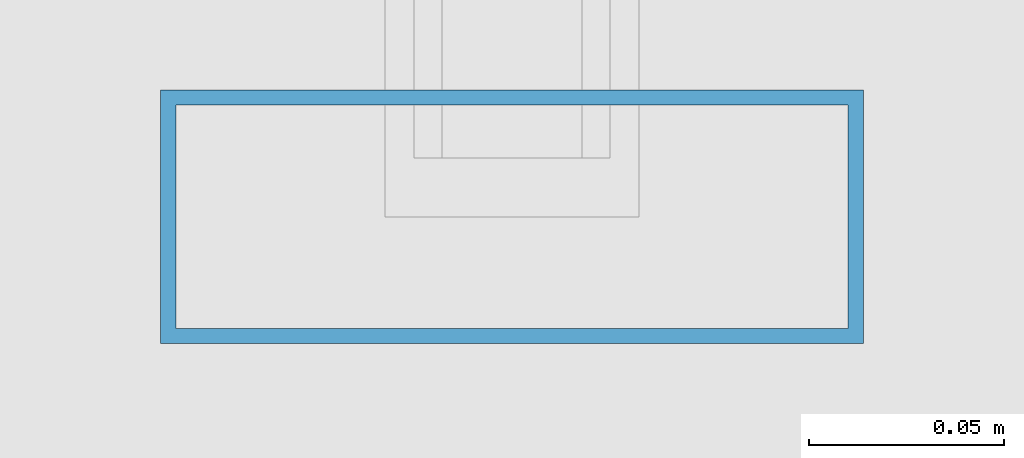
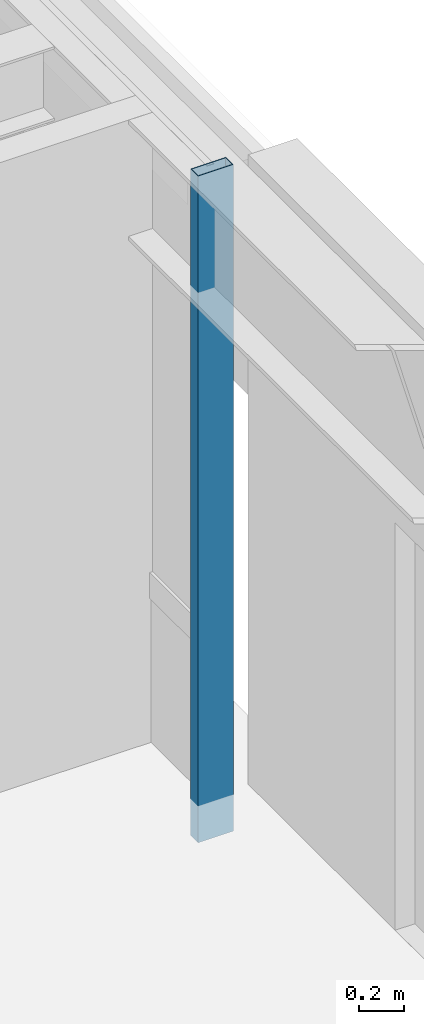
# One storey, part 14 of 30: 1 member, 1 element without a shape of its own.
"""IFC4 building model written with IfcOpenShell, lengths in metres."""

import ifcopenshell
import ifcopenshell.guid

model = None  # the IFC model being written
_history = None  # IfcOwnerHistory: only IFC2X3 demands one
_inside = {}  # id of a spatial element -> (the spatial element, [elements in it])
_under = {}  # id of a project, library or spatial element -> (it, [spatial elements below it])
_declared = {}  # id of a project -> (the project, [libraries it declares])
_typed = {}  # id of a type object -> (the type object, [elements of that type])
_made_of = {}  # id of a material, layer set ... -> (it, [elements and type objects made of it])


def new_model(schema):
    """Start an empty IFC model of exactly this schema.

    Asked for "IFC4X3", IfcOpenShell would pick the latest addendum, in which some entities
    have other attributes; the version numbers below select the first issue.
    IFC2X3 requires an IfcOwnerHistory on every rooted entity: one is made here for all.
    """
    global model, _history
    if schema == "IFC4X3":
        model = ifcopenshell.file(schema_version=(4, 3, 0, 0))
    else:
        model = ifcopenshell.file(schema=schema)
    _inside.clear()
    _under.clear()
    _declared.clear()
    _typed.clear()
    _made_of.clear()
    _history = None
    if model.schema == "IFC2X3":
        org = make("IfcOrganization", Name="unknown")
        user = make(
            "IfcPersonAndOrganization",
            ThePerson=make("IfcPerson", FamilyName="unknown"),
            TheOrganization=org,
        )
        app = make(
            "IfcApplication",
            ApplicationDeveloper=org,
            Version="unknown",
            ApplicationFullName="unknown",
            ApplicationIdentifier="unknown",
        )
        _history = make(
            "IfcOwnerHistory",
            OwningUser=user,
            OwningApplication=app,
            ChangeAction="ADDED",
            CreationDate=0,
        )
    return model


def make(cls, **values):
    """One entity of the class cls with the attributes given. An attribute that is None is left unset."""
    return model.create_entity(
        cls, **{name: value for name, value in values.items() if value is not None}
    )


def rooted(cls, **values):
    """An entity with a GlobalId (a new one), such as an element, a storey or a relation."""
    return make(cls, GlobalId=ifcopenshell.guid.new(), OwnerHistory=_history, **values)


def si_unit(unit_type, name, prefix=None):
    """IfcSIUnit, for example si_unit("LENGTHUNIT", "METRE", prefix="MILLI")."""
    return make("IfcSIUnit", UnitType=unit_type, Prefix=prefix, Name=name)


def assignment(units):
    """IfcUnitAssignment: the units of a project."""
    return None if units is None else make("IfcUnitAssignment", Units=units)


def point(xyz):
    """IfcCartesianPoint."""
    return None if xyz is None else make("IfcCartesianPoint", Coordinates=xyz)


def direction(xyz):
    """IfcDirection."""
    return None if xyz is None else make("IfcDirection", DirectionRatios=xyz)


def frame(location, z_axis=None, x_axis=None):
    """IfcAxis2Placement3D, a coordinate frame: its origin and axes. An axis left out is left unset."""
    return make(
        "IfcAxis2Placement3D",
        Location=point(location),
        Axis=direction(z_axis),
        RefDirection=direction(x_axis),
    )


def frame_2d(location, x_axis=None):
    """IfcAxis2Placement2D, a coordinate frame in the plane: its origin and x axis."""
    return make(
        "IfcAxis2Placement2D", Location=point(location), RefDirection=direction(x_axis)
    )


def origin():
    """The frame at (0, 0, 0) with its axes left unset."""
    return frame((0.0, 0.0, 0.0))


def origin_2d():
    """The frame at (0, 0) in the plane with its x axis left unset."""
    return frame_2d((0.0, 0.0))


def place(relative_to, where):
    """IfcLocalPlacement: puts the frame where relative to a parent placement (None: the world)."""
    return make(
        "IfcLocalPlacement", PlacementRelTo=relative_to, RelativePlacement=where
    )


def context(
    kind, dimensions, precision=None, world=None, true_north=None, identifier=None
):
    """IfcGeometricRepresentationContext, for example the 3D "Model" context."""
    return make(
        "IfcGeometricRepresentationContext",
        ContextIdentifier=identifier,
        ContextType=kind,
        CoordinateSpaceDimension=dimensions,
        Precision=precision,
        WorldCoordinateSystem=world,
        TrueNorth=true_north,
    )


def subcontext(parent, identifier, kind, view, scale=None):
    """IfcGeometricRepresentationSubContext, for example "Body" below "Model"."""
    return make(
        "IfcGeometricRepresentationSubContext",
        ContextIdentifier=identifier,
        ContextType=kind,
        ParentContext=parent,
        TargetScale=scale,
        TargetView=view,
    )


def project(units=None, contexts=None):
    """IfcProject with its units and contexts."""
    return rooted(
        "IfcProject",
        Name="project",
        RepresentationContexts=contexts,
        UnitsInContext=assignment(units),
    )


def spatial(cls, under=None, at=None, **own):
    """A site, building, storey or space (cls), placed at a placement, below another one or the project."""
    s = rooted(cls, ObjectPlacement=at, **own)
    if under is not None:
        _under.setdefault(under.id(), (under, []))[1].append(s)
    return s


def profile(cls, at=None, kind="AREA", **sizes):
    """A parametric profile (cls). Its sizes go by their IFC names, for example OverallWidth=200.0."""
    return make(cls, ProfileType=kind, Position=at, **sizes)


def hollow_rectangle(**sizes):
    """IfcRectangleHollowProfileDef."""
    return profile("IfcRectangleHollowProfileDef", **sizes)


def extrude(swept, where, along, depth):
    """IfcExtrudedAreaSolid: the profile swept, set in the frame where, extruded along a direction by depth."""
    return make(
        "IfcExtrudedAreaSolid",
        SweptArea=swept,
        Position=where,
        ExtrudedDirection=direction(along),
        Depth=depth,
    )


def shape(context_of_items, identifier, shape_type, items):
    """IfcShapeRepresentation: the items that make up one representation, for example the "Body"."""
    return make(
        "IfcShapeRepresentation",
        ContextOfItems=context_of_items,
        RepresentationIdentifier=identifier,
        RepresentationType=shape_type,
        Items=items,
    )


def material(Name=None, Category=None):
    """IfcMaterial."""
    return make("IfcMaterial", Name=Name, Category=Category)


def layer(
    of_material, thickness, ventilated=None, Name=None, Category=None, Priority=None
):
    """IfcMaterialLayer: one layer of a wall or slab, of a material (None: an air gap)."""
    return make(
        "IfcMaterialLayer",
        Material=of_material,
        LayerThickness=thickness,
        IsVentilated=ventilated,
        Name=Name,
        Category=Category,
        Priority=Priority,
    )


def layer_set(layers, Name=None):
    """IfcMaterialLayerSet."""
    return make("IfcMaterialLayerSet", MaterialLayers=layers, LayerSetName=Name)


def material_profile(
    of_material, cross_section, Name=None, Category=None, Priority=None
):
    """IfcMaterialProfile: a cross section and its material."""
    return make(
        "IfcMaterialProfile",
        Name=Name,
        Material=of_material,
        Profile=cross_section,
        Priority=Priority,
        Category=Category,
    )


def profile_set(profiles, Name=None, composite=None):
    """IfcMaterialProfileSet."""
    return make(
        "IfcMaterialProfileSet",
        Name=Name,
        MaterialProfiles=profiles,
        CompositeProfile=composite,
    )


def made_of(thing, what):
    """Note that an element or type object is made of a material, layer set ...; save() writes the relation."""
    if what is not None:
        _made_of.setdefault(what.id(), (what, []))[1].append(thing)
    return thing


def type_object(cls, material=None, **own):
    """A type object (cls), such as IfcWallType, which elements share."""
    return made_of(rooted(cls, **own), material)


def element(
    cls,
    number,
    at=None,
    inside=None,
    cuts=None,
    type_object=None,
    material=None,
    context=None,
    identifier="Body",
    shape_type=None,
    held_by="IfcProductDefinitionShape",
    body=None,
    shapes=None,
    **own,
):
    """One element of the class cls, such as IfcWall. Its Tag is "e" and its number.

    at: its placement. inside: the storey or other place that contains it. cuts: it is an
    opening in that element (IfcRelVoidsElement). A single representation is given by context,
    identifier, shape_type and body (its items); several are given by shapes. held_by: the class
    of the entity that holds the representations. save() writes the other relations.
    """
    e = rooted(cls, Tag="e%d" % number, ObjectPlacement=at, **own)
    if body is not None:
        shapes = [shape(context, identifier, shape_type, body)]
    if shapes is not None:
        e.Representation = make(held_by, Representations=shapes)
    if inside is not None:
        _inside.setdefault(inside.id(), (inside, []))[1].append(e)
    if cuts is not None:
        rooted(
            "IfcRelVoidsElement", RelatingBuildingElement=cuts, RelatedOpeningElement=e
        )
    if type_object is not None:
        _typed.setdefault(type_object.id(), (type_object, []))[1].append(e)
    return made_of(e, material)


def aggregate(whole, parts):
    """IfcRelAggregates: a whole, such as a stair, and the parts it consists of."""
    return rooted("IfcRelAggregates", RelatingObject=whole, RelatedObjects=parts)


def save(model, path):
    """Write the relations noted so far, then the file.

    IfcRelAggregates (storeys below a building ...), IfcRelContainedInSpatialStructure (elements
    in a storey), IfcRelDefinesByType, IfcRelAssociatesMaterial and IfcRelDeclares: one each for
    every whole, place, type object, material and project.
    """
    for whole, parts in _under.values():
        aggregate(whole, parts)
    for where, things in _inside.values():
        rooted(
            "IfcRelContainedInSpatialStructure",
            RelatedElements=things,
            RelatingStructure=where,
        )
    for kind, things in _typed.values():
        rooted("IfcRelDefinesByType", RelatedObjects=things, RelatingType=kind)
    for what, things in _made_of.values():
        rooted("IfcRelAssociatesMaterial", RelatedObjects=things, RelatingMaterial=what)
    for by, libraries in _declared.values():
        rooted("IfcRelDeclares", RelatingContext=by, RelatedDefinitions=libraries)
    model.write(path)


model = new_model("IFC4")

# Units and contexts
model_context = context("Model", 3, precision=1e-05, world=origin(), true_north=direction((0.0, 1.0)))
body_context = subcontext(model_context, "Body", "Model", "MODEL_VIEW")
ifc_project = project(units=[si_unit("LENGTHUNIT", "METRE"), si_unit("AREAUNIT", "SQUARE_METRE"), si_unit("VOLUMEUNIT", "CUBIC_METRE"), si_unit("PLANEANGLEUNIT", "RADIAN"), si_unit("MASSUNIT", "GRAM", prefix="KILO")], contexts=[model_context])

# Site, building, storey
site_placement = place(None, origin())
site = spatial("IfcSite", under=ifc_project, at=site_placement, CompositionType="ELEMENT")
building_placement = place(site_placement, origin())
building = spatial("IfcBuilding", under=site, at=building_placement, Name="Brelmoor Portico Tower", CompositionType="ELEMENT")
storey_placement = place(building_placement, frame((0.0, 0.0, 102.60009765625)))
storey = spatial("IfcBuildingStorey", under=building, at=storey_placement, Name="L26", CompositionType="ELEMENT", Elevation=102.60009765625)

# Curtain wall, member
ifc_material = material(Name="Anodised Aluminium Alloy 6063-T6", Category="aluminium")
ifc_layer = layer(ifc_material, 0.179931640625)
ifc_layer_set = layer_set([ifc_layer], Name="Anodised Aluminium Alloy 6063-T6")
curtain_wall_type = type_object("IfcCurtainWallType", Name="CW-TOWER-Z2", PredefinedType="NOTDEFINED", material=ifc_layer_set)
curtain_wall_placement = place(storey_placement, origin())
curtain_wall = element("IfcCurtainWall", 1, at=curtain_wall_placement, inside=storey, type_object=curtain_wall_type, Name="L26 Curtain Wall CW-L26-4R-1", PredefinedType="NOTDEFINED")
ifc_material_profile = material_profile(ifc_material, hollow_rectangle(XDim=0.06494140625, YDim=0.179931640625, WallThickness=0.00390625, at=origin_2d()), Name="ALU MULLION 65x180")
ifc_profile_set = profile_set([ifc_material_profile], Name="Anodised Aluminium Alloy 6063-T6")
member_type = type_object("IfcMemberType", Name="MB-CW-MULL-180", PredefinedType="MULLION", material=ifc_profile_set)
member_placement = place(storey_placement, frame((22.550048828125, -4.5, -0.2001953125), z_axis=(0.0, 0.0, 1.0), x_axis=(0.0, 1.0, 0.0)))
member = element("IfcMember", 2, at=member_placement, type_object=member_type, Name="CW-L26-4R-1 Mullion 00", PredefinedType="MULLION", context=body_context, shape_type="SweptSolid", body=[
    extrude(hollow_rectangle(XDim=0.06494140625, YDim=0.179931640625, WallThickness=0.00390625, at=origin_2d()), origin(), (0.0, 0.0, 1.0), 3.60009765625),
])
aggregate(curtain_wall, [member])

save(model, "model.ifc")
